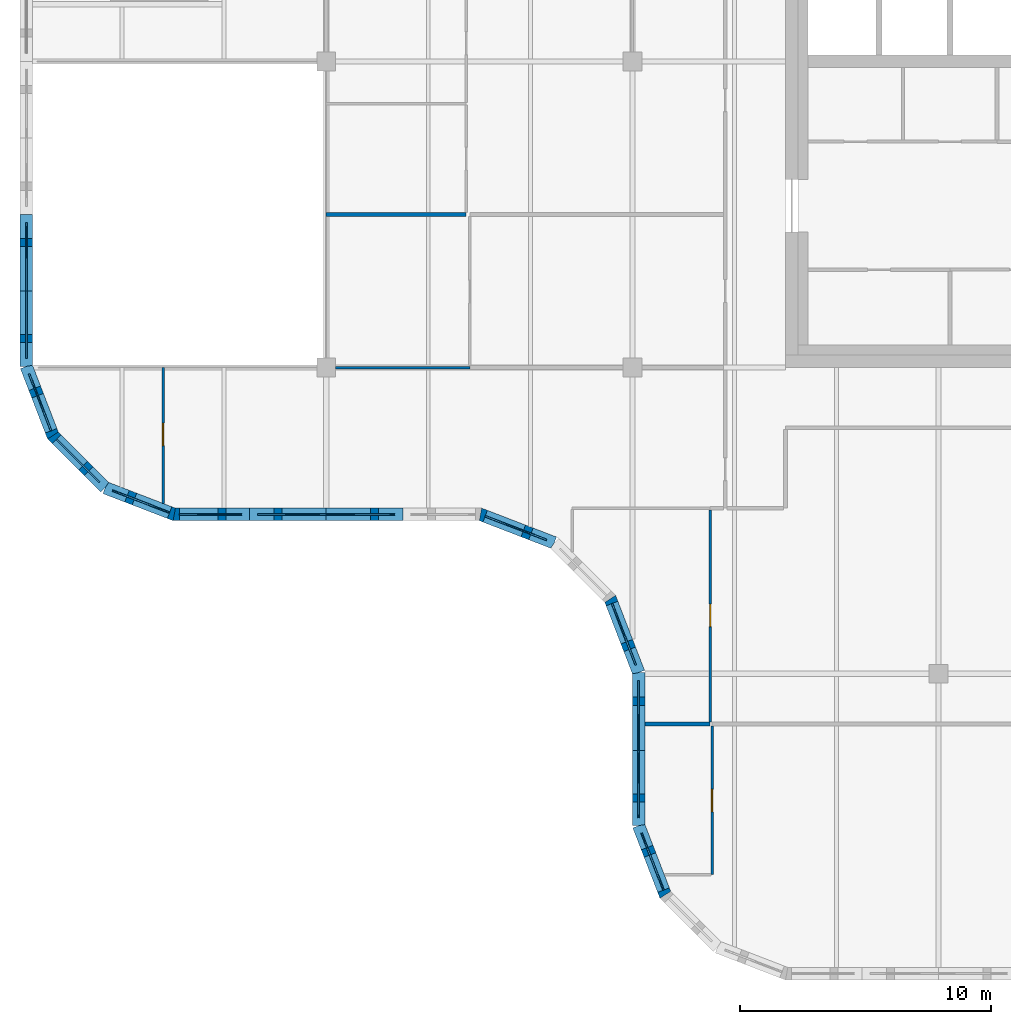
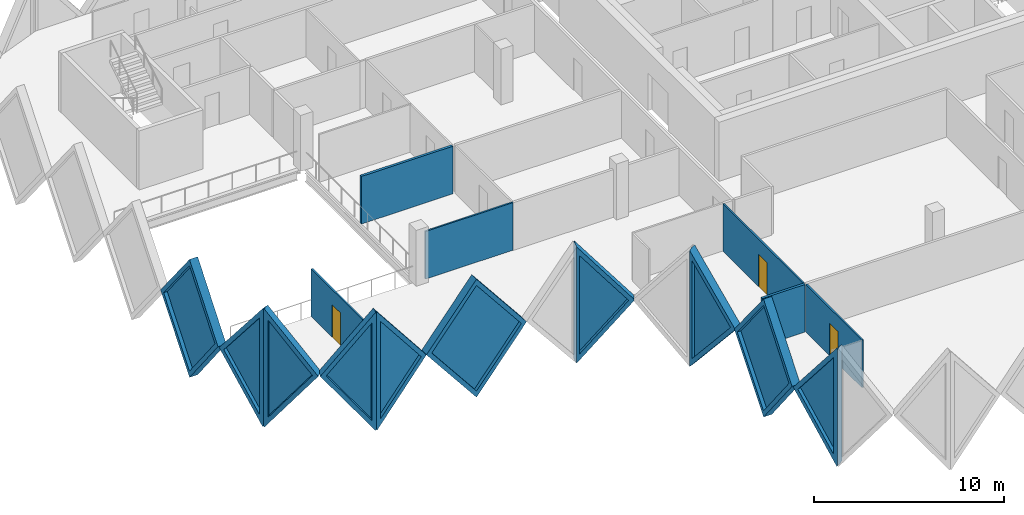
# One storey, part 3 of 12: 16 walls, 10 plates, 3 doors, 13 openings.
"""IFC4 building model written with IfcOpenShell, lengths in metres."""

from ifc_helpers import new_model, si_unit, direction, frame, frame_2d, origin, place, context, subcontext, project, spatial, polyline, rectangle, outline, extrude, faceted_brep, source, transform, mapped, material, layer, layer_set, type_object, element, fill, save


model = new_model("IFC4")

# Units and contexts
model_context = context("Model", 3, precision=1e-05, world=origin(), true_north=direction((0.0, 1.0)))
body_context = subcontext(model_context, "Body", "Model", "MODEL_VIEW")
ifc_project = project(units=[si_unit("LENGTHUNIT", "METRE"), si_unit("AREAUNIT", "SQUARE_METRE"), si_unit("VOLUMEUNIT", "CUBIC_METRE"), si_unit("PLANEANGLEUNIT", "RADIAN"), si_unit("MASSUNIT", "GRAM", prefix="KILO")], contexts=[model_context])

# Site, building, storey
site_placement = place(None, origin())
site = spatial("IfcSite", under=ifc_project, at=site_placement, CompositionType="ELEMENT")
building_placement = place(site_placement, origin())
building = spatial("IfcBuilding", under=site, at=building_placement, Name="Tessera Gate Towers", CompositionType="ELEMENT")
storey_placement = place(building_placement, frame((0.0, 0.0, 220.699951171875)))
storey = spatial("IfcBuildingStorey", under=building, at=storey_placement, Name="L55", CompositionType="ELEMENT", Elevation=220.699951171875)

# Wall, opening, door
ifc_material_1 = material(Name="Glass", Category="glass")
ifc_layer_1 = layer(ifc_material_1, 0.10009765625)
ifc_layer_set_1 = layer_set([ifc_layer_1], Name="GLAZED PARTITION 100")
wall_type_1 = type_object("IfcWallType", Name="GLAZED PARTITION 100", PredefinedType="PARTITIONING", material=ifc_layer_set_1)
wall_1_placement = place(storey_placement, frame((27.574951171875, 4.199951171875, 0.0), z_axis=(0.0, 0.0, 1.0), x_axis=(0.0, 1.0, 0.0)))
wall_1 = element("IfcWall", 1, at=wall_1_placement, inside=storey, type_object=wall_type_1, Name="T1-L55-PW-004", PredefinedType="PARTITIONING", context=body_context, shape_type="SweptSolid", body=[
    extrude(rectangle(XDim=5.924072265625, YDim=0.10009765625, at=frame_2d((2.9619140625, 0.0))), origin(), (0.0, 0.0, 1.0), 3.067138671875),
])
shared_shape_1 = source(origin(), body_context, "Body", "SweptSolid", [
    extrude(rectangle(XDim=0.89990234375, YDim=2.10009765625, at=frame_2d((0.449951171875, 1.050048828125))), frame((0.0, 0.06005859375, 0.0), z_axis=(0.0, -1.0, 0.0), x_axis=(1.0, 0.0, 0.0)), (0.0, 0.0, 1.0), 0.1201171875),
])
opening_1_placement = place(wall_1_placement, frame((2.5, 0.0, 0.0)))
opening_1 = element("IfcOpeningElement", 2, at=opening_1_placement, cuts=wall_1, Name="Opening D690-A20-08", PredefinedType="OPENING", context=body_context, shape_type="MappedRepresentation", body=[
    mapped(shared_shape_1, transform((0.0, 0.0, 0.0), scale=1.0)),
])
ifc_material_2 = material(Name="Glass in aluminium frame", Category="aluminium")
door_type = type_object("IfcDoorType", Name="GLAZED DOOR 900 NOT RATED", OperationType="NOTDEFINED", PredefinedType="DOOR", material=ifc_material_2)
shared_shape_2 = source(origin(), body_context, "Body", "SweptSolid", [
    extrude(rectangle(XDim=0.89990234375, YDim=2.10009765625, at=frame_2d((0.449951171875, 1.050048828125))), frame((0.0, 0.02490234375, 0.0), z_axis=(0.0, -1.0, 0.0), x_axis=(1.0, 0.0, 0.0)), (0.0, 0.0, 1.0), 0.050048828125),
])
door_1_placement = place(opening_1_placement, origin())
door_1 = element("IfcDoor", 3, at=door_1_placement, inside=storey, type_object=door_type, Name="T1-L55-PD-018", OperationType="SINGLE_SWING_LEFT", OverallHeight=2.10009765625, OverallWidth=0.89990234375, PredefinedType="DOOR", context=body_context, shape_type="MappedRepresentation", body=[
    mapped(shared_shape_2, transform((0.0, 0.0, 0.0), scale=1.0)),
])
fill(opening_1, door_1)

wall_2_placement = place(storey_placement, frame((27.5, 10.27587890625, 0.0), z_axis=(0.0, 0.0, 1.0), x_axis=(0.0, 1.0, 0.0)))
wall_2 = element("IfcWall", 4, at=wall_2_placement, inside=storey, type_object=wall_type_1, Name="T1-L55-PW-009", PredefinedType="PARTITIONING", context=body_context, shape_type="SweptSolid", body=[
    extrude(rectangle(XDim=8.4482421875, YDim=0.10009765625, at=frame_2d((4.22412109375, 0.0))), origin(), (0.0, 0.0, 1.0), 3.067138671875),
])
opening_2_placement = place(wall_2_placement, frame((3.800048828125, 0.0, 0.0)))
opening_2 = element("IfcOpeningElement", 5, at=opening_2_placement, cuts=wall_2, Name="Opening D690-A20-09", PredefinedType="OPENING", context=body_context, shape_type="MappedRepresentation", body=[
    mapped(shared_shape_1, transform((0.0, 0.0, 0.0), scale=1.0)),
])
door_2_placement = place(opening_2_placement, origin())
door_2 = element("IfcDoor", 6, at=door_2_placement, inside=storey, type_object=door_type, Name="T1-L55-PD-020", OperationType="SINGLE_SWING_LEFT", OverallHeight=2.10009765625, OverallWidth=0.89990234375, PredefinedType="DOOR", context=body_context, shape_type="MappedRepresentation", body=[
    mapped(shared_shape_2, transform((0.0, 0.0, 0.0), scale=1.0)),
])
fill(opening_2, door_2)

wall_3_placement = place(storey_placement, frame((5.699951171875, 18.990234375, 0.0), z_axis=(0.0, 0.0, 1.0), x_axis=(0.0, 1.0, 0.0)))
wall_3 = element("IfcWall", 7, at=wall_3_placement, inside=storey, type_object=wall_type_1, Name="T1-L55-PW-017", PredefinedType="PARTITIONING", context=body_context, shape_type="SweptSolid", body=[
    extrude(rectangle(XDim=5.40966796875, YDim=0.10009765625, at=frame_2d((2.704833984375, 0.0))), origin(), (0.0, 0.0, 1.0), 3.067138671875),
])
opening_3_placement = place(wall_3_placement, frame((2.300048828125, 0.0, 0.0)))
opening_3 = element("IfcOpeningElement", 8, at=opening_3_placement, cuts=wall_3, Name="Opening D690-A20-03", PredefinedType="OPENING", context=body_context, shape_type="MappedRepresentation", body=[
    mapped(shared_shape_1, transform((0.0, 0.0, 0.0), scale=1.0)),
])
door_3_placement = place(opening_3_placement, origin())
door_3 = element("IfcDoor", 9, at=door_3_placement, inside=storey, type_object=door_type, Name="T1-L55-PD-009", OperationType="SINGLE_SWING_LEFT", OverallHeight=2.10009765625, OverallWidth=0.89990234375, PredefinedType="DOOR", context=body_context, shape_type="MappedRepresentation", body=[
    mapped(shared_shape_2, transform((0.0, 0.0, 0.0), scale=1.0)),
])
fill(opening_3, door_3)

# Walls
wall_4_placement = place(storey_placement, frame((12.575927734375, 24.39990234375, 0.0), z_axis=(0.0, 0.0, 1.0), x_axis=(1.0, 0.0, 0.0)))
element("IfcWall", 10, at=wall_4_placement, inside=storey, type_object=wall_type_1, Name="T1-L55-PW-022", PredefinedType="PARTITIONING", context=body_context, shape_type="SweptSolid", body=[
    extrude(rectangle(XDim=5.34814453125, YDim=0.10009765625, at=frame_2d((2.674072265625, 0.0))), origin(), (0.0, 0.0, 1.0), 3.067138671875),
])
ifc_material_3 = material(Name="Gypsum board on steel studs, mineral wool", Category="steel")
ifc_layer_2 = layer(ifc_material_3, 0.14990234375)
ifc_layer_set_2 = layer_set([ifc_layer_2], Name="TENANCY WALL 150")
wall_type_2 = type_object("IfcWallType", Name="TENANCY WALL 150", PredefinedType="PARTITIONING", material=ifc_layer_set_2)
wall_5_placement = place(storey_placement, frame((24.89990234375, 10.199951171875, 0.0), z_axis=(0.0, 0.0, 1.0), x_axis=(1.0, 0.0, 0.0)))
element("IfcWall", 11, at=wall_5_placement, inside=storey, type_object=wall_type_2, Name="T1-L55-PW-007", PredefinedType="PARTITIONING", context=body_context, shape_type="SweptSolid", body=[
    extrude(rectangle(XDim=2.60009765625, YDim=0.14990234375, at=frame_2d((1.300048828125, 0.0))), origin(), (0.0, 0.0, 1.0), 3.067138671875),
])
wall_6_placement = place(storey_placement, frame((12.199951171875, 30.5, 0.0), z_axis=(0.0, 0.0, 1.0), x_axis=(1.0, 0.0, 0.0)))
element("IfcWall", 12, at=wall_6_placement, inside=storey, type_object=wall_type_2, Name="T1-L55-PW-026", PredefinedType="PARTITIONING", context=body_context, shape_type="SweptSolid", body=[
    extrude(rectangle(XDim=5.574951171875, YDim=0.14990234375, at=frame_2d((2.78759765625, 0.0))), origin(), (0.0, 0.0, 1.0), 3.067138671875),
])

# Wall, opening, plate
ifc_material_4 = material(Name="Precast concrete C60/75 white", Category="concrete")
ifc_layer_3 = layer(ifc_material_4, 0.5)
ifc_layer_set_3 = layer_set([ifc_layer_3], Name="TS1 tessera")
wall_type_3 = type_object("IfcWallType", Name="TS1 tessera", PredefinedType="SOLIDWALL", material=ifc_layer_set_3)
shared_shape_3 = source(origin(), body_context, "Body", "SweptSolid", [
    extrude(outline(polyline([(3.050048828125, 0.0), (6.10009765625, 3.800048828125), (3.050048828125, 7.60009765625), (0.0, 3.800048828125), (3.050048828125, 0.0)])), frame((0.0, 0.25, 0.0), z_axis=(0.0, -1.0, 0.0), x_axis=(1.0, 0.0, 0.0)), (0.0, 0.0, 1.0), 0.5),
])
wall_7_placement = place(storey_placement, frame((9.14990234375, 18.550048828125, -3.800048828125), z_axis=(0.0, 0.0, 1.0), x_axis=(1.0, 0.0, 0.0)))
wall_7 = element("IfcWall", 13, at=wall_7_placement, inside=storey, type_object=wall_type_3, Name="Precast tessera T1 TS1-0987", PredefinedType="SOLIDWALL", context=body_context, shape_type="MappedRepresentation", body=[
    mapped(shared_shape_3, transform((0.0, 0.0, 0.0), scale=1.0)),
])
shared_shape_4 = source(origin(), body_context, "Body", "SweptSolid", [
    extrude(outline(polyline([(3.050048828125, 0.3994140625), (5.779541015625, 3.800048828125), (3.050048828125, 7.20068359375), (0.320556640625, 3.800048828125), (3.050048828125, 0.3994140625)])), frame((0.0, 0.260009765625, 0.0), z_axis=(0.0, -1.0, 0.0), x_axis=(1.0, 0.0, 0.0)), (0.0, 0.0, 1.0), 0.52001953125),
])
opening_4_placement = place(wall_7_placement, origin())
opening_4 = element("IfcOpeningElement", 14, at=opening_4_placement, cuts=wall_7, Name="Opening T1-PL2-2013", PredefinedType="OPENING", context=body_context, shape_type="MappedRepresentation", body=[
    mapped(shared_shape_4, transform((0.0, 0.0, 0.0), scale=1.0)),
])
ifc_material_5 = material(Name="Low-e laminated glass", Category="glass")
ifc_layer_4 = layer(ifc_material_5, 0.06005859375)
ifc_layer_set_4 = layer_set([ifc_layer_4], Name="PL2 rhombic pane")
plate_type = type_object("IfcPlateType", Name="PL2 rhombic pane", PredefinedType="SHEET", material=ifc_layer_set_4)
shared_shape_5 = source(origin(), body_context, "Body", "SweptSolid", [
    extrude(outline(polyline([(3.050048828125, 0.3994140625), (5.779541015625, 3.800048828125), (3.050048828125, 7.20068359375), (0.320556640625, 3.800048828125), (3.050048828125, 0.3994140625)])), frame((0.0, 0.030029296875, 0.0), z_axis=(0.0, -1.0, 0.0), x_axis=(1.0, 0.0, 0.0)), (0.0, 0.0, 1.0), 0.06005859375),
])
plate_1_placement = place(opening_4_placement, origin())
plate_1 = element("IfcPlate", 15, at=plate_1_placement, inside=storey, type_object=plate_type, Name="Glass pane T1 PL2-2013", PredefinedType="SHEET", context=body_context, shape_type="MappedRepresentation", body=[
    mapped(shared_shape_5, transform((0.0, 0.0, 0.0), scale=1.0)),
])
fill(opening_4, plate_1)

shared_shape_6 = source(origin(), body_context, "Body", "Brep", [
    faceted_brep([(3.050048828125, -0.25, 0.0), (6.053466796875, -0.25, 3.800048828125), (3.050048828125, -0.25, 7.60009765625), (0.0, -0.25, 3.800048828125), (0.0, 0.25, 3.800048828125), (3.050048828125, 0.25, 7.60009765625), (6.0068359375, 0.25, 3.85888671875), (6.0068359375, 0.25, 3.7412109375), (3.050048828125, 0.25, 0.0), (6.053466796875, 0.0, 3.800048828125)], [[[0, 1, 2, 3]], [[4, 5, 6, 7, 8]], [[8, 7, 9, 1, 0]], [[6, 5, 2, 1, 9]], [[5, 4, 3, 2]], [[4, 8, 0, 3]], [[9, 7, 6]]]),
])
wall_8_placement = place(storey_placement, frame((0.25, 30.5, -3.800048828125), z_axis=(0.0, 0.0, 1.0), x_axis=(0.0, -1.0, 0.0)))
wall_8 = element("IfcWall", 16, at=wall_8_placement, inside=storey, type_object=wall_type_3, Name="Precast tessera T1 TS1-0986", PredefinedType="SOLIDWALL", context=body_context, shape_type="MappedRepresentation", body=[
    mapped(shared_shape_6, transform((0.0, 0.0, 0.0), scale=1.0)),
])
shared_shape_7 = source(origin(), body_context, "Body", "SweptSolid", [
    extrude(outline(polyline([(3.048583984375, 0.4013671875), (5.73486328125, 3.800048828125), (3.048583984375, 7.19873046875), (0.320556640625, 3.800048828125), (3.048583984375, 0.4013671875)])), frame((0.0, 0.260009765625, 0.0), z_axis=(0.0, -1.0, 0.0), x_axis=(1.0, 0.0, 0.0)), (0.0, 0.0, 1.0), 0.52001953125),
])
opening_5_placement = place(wall_8_placement, origin())
opening_5 = element("IfcOpeningElement", 17, at=opening_5_placement, cuts=wall_8, Name="Opening T1-PL2-2008", PredefinedType="OPENING", context=body_context, shape_type="MappedRepresentation", body=[
    mapped(shared_shape_7, transform((0.0, 0.0, 0.0), scale=1.0)),
])
shared_shape_8 = source(origin(), body_context, "Body", "SweptSolid", [
    extrude(outline(polyline([(3.048583984375, 0.4013671875), (5.73486328125, 3.800048828125), (3.048583984375, 7.19873046875), (0.320556640625, 3.800048828125), (3.048583984375, 0.4013671875)])), frame((0.0, 0.030029296875, 0.0), z_axis=(0.0, -1.0, 0.0), x_axis=(1.0, 0.0, 0.0)), (0.0, 0.0, 1.0), 0.06005859375),
])
plate_2_placement = place(opening_5_placement, origin())
plate_2 = element("IfcPlate", 18, at=plate_2_placement, inside=storey, type_object=plate_type, Name="Glass pane T1 PL2-2008", PredefinedType="SHEET", context=body_context, shape_type="MappedRepresentation", body=[
    mapped(shared_shape_8, transform((0.0, 0.0, 0.0), scale=1.0)),
])
fill(opening_5, plate_2)

ifc_material_6 = material(Name="Precast concrete C60/75 white", Category="concrete")
ifc_layer_5 = layer(ifc_material_6, 0.5)
ifc_layer_set_5 = layer_set([ifc_layer_5], Name="TS3 corner tessera")
wall_type_4 = type_object("IfcWallType", Name="TS3 corner tessera", PredefinedType="SOLIDWALL", material=ifc_layer_set_5)
shared_shape_9 = source(origin(), body_context, "Body", "Brep", [
    faceted_brep([(2.950439453125, -0.25, 0.0), (3.00341796875, -0.25, 0.068359375), (3.00341796875, -0.25, 7.53173828125), (2.950439453125, -0.25, 7.60009765625), (0.0, -0.25, 3.800048828125), (0.046630859375, 0.25, 3.860107421875), (2.897705078125, 0.25, 7.531982421875), (2.897705078125, 0.25, 0.068115234375), (0.046630859375, 0.25, 3.739990234375), (2.950439453125, 0.00048828125, 0.0), (2.950439453125, 0.00048828125, 7.60009765625), (0.0, 0.0, 3.800048828125)], [[[0, 1, 2, 3, 4]], [[5, 6, 7, 8]], [[1, 0, 9]], [[10, 3, 2]], [[6, 5, 11, 4, 3, 10]], [[8, 7, 9, 0, 4, 11]], [[8, 11, 5]], [[1, 9, 7, 6, 10, 2]]]),
])
wall_9_placement = place(storey_placement, frame((24.64990234375, 6.146484375, -3.800048828125), z_axis=(0.0, 0.0, 1.0), x_axis=(0.359953949349, -0.932970071518, 0.0)))
wall_9 = element("IfcWall", 19, at=wall_9_placement, inside=storey, type_object=wall_type_4, Name="Precast corner tessera T1 TS3-1295", PredefinedType="SOLIDWALL", context=body_context, shape_type="MappedRepresentation", body=[
    mapped(shared_shape_9, transform((0.0, 0.0, 0.0), scale=1.0)),
])
shared_shape_10 = source(origin(), body_context, "Body", "SweptSolid", [
    extrude(outline(polyline([(2.75048828125, 6.934814453125), (0.31640625, 3.800048828125), (2.75048828125, 0.665283203125), (2.75048828125, 6.934814453125)])), frame((0.0, 0.260009765625, 0.0), z_axis=(0.0, -1.0, 0.0), x_axis=(1.0, 0.0, 0.0)), (0.0, 0.0, 1.0), 0.52001953125),
])
opening_6_placement = place(wall_9_placement, origin())
opening_6 = element("IfcOpeningElement", 20, at=opening_6_placement, cuts=wall_9, Name="Opening T1-PL2-2019", PredefinedType="OPENING", context=body_context, shape_type="MappedRepresentation", body=[
    mapped(shared_shape_10, transform((0.0, 0.0, 0.0), scale=1.0)),
])
shared_shape_11 = source(origin(), body_context, "Body", "SweptSolid", [
    extrude(outline(polyline([(2.75048828125, 6.934814453125), (0.31640625, 3.800048828125), (2.75048828125, 0.665283203125), (2.75048828125, 6.934814453125)])), frame((0.0, 0.030029296875, 0.0), z_axis=(0.0, -1.0, 0.0), x_axis=(1.0, 0.0, 0.0)), (0.0, 0.0, 1.0), 0.06005859375),
])
plate_3_placement = place(opening_6_placement, origin())
plate_3 = element("IfcPlate", 21, at=plate_3_placement, inside=storey, type_object=plate_type, Name="Glass pane T1 PL2-2019", PredefinedType="SHEET", context=body_context, shape_type="MappedRepresentation", body=[
    mapped(shared_shape_11, transform((0.0, 0.0, 0.0), scale=1.0)),
])
fill(opening_6, plate_3)

shared_shape_12 = source(origin(), body_context, "Body", "Brep", [
    faceted_brep([(0.052978515625, -0.25, 0.0), (2.9970703125, -0.25, 3.800048828125), (0.052978515625, -0.25, 7.60009765625), (0.0, -0.25, 7.531982421875), (0.0, -0.25, 0.068115234375), (0.10595703125, 0.25, 7.53173828125), (2.944091796875, 0.25, 3.8681640625), (2.944091796875, 0.25, 3.73193359375), (0.10595703125, 0.25, 0.068359375), (2.9970703125, 0.000244140625, 3.800048828125), (0.052978515625, 0.0, 0.0), (0.052978515625, 0.0, 7.60009765625)], [[[0, 1, 2, 3, 4]], [[5, 6, 7, 8]], [[8, 7, 9, 1, 0, 10]], [[6, 5, 11, 2, 1, 9]], [[3, 2, 11]], [[10, 0, 4]], [[8, 10, 4, 3, 11, 5]], [[9, 7, 6]]]),
])
wall_10_placement = place(storey_placement, frame((1.2744140625, 21.731201171875, -3.800048828125), z_axis=(0.0, 0.0, 1.0), x_axis=(0.707147509625, -0.707066050402, 0.0)))
wall_10 = element("IfcWall", 22, at=wall_10_placement, inside=storey, type_object=wall_type_4, Name="Precast corner tessera T1 TS3-1288", PredefinedType="SOLIDWALL", context=body_context, shape_type="MappedRepresentation", body=[
    mapped(shared_shape_12, transform((0.0, 0.0, 0.0), scale=1.0)),
])
shared_shape_13 = source(origin(), body_context, "Body", "SweptSolid", [
    extrude(outline(polyline([(0.2529296875, 0.66650390625), (2.680908203125, 3.800048828125), (0.2529296875, 6.933837890625), (0.2529296875, 0.66650390625)])), frame((0.0, 0.260009765625, 0.0), z_axis=(0.0, -1.0, 0.0), x_axis=(1.0, 0.0, 0.0)), (0.0, 0.0, 1.0), 0.52001953125),
])
opening_7_placement = place(wall_10_placement, origin())
opening_7 = element("IfcOpeningElement", 23, at=opening_7_placement, cuts=wall_10, Name="Opening T1-PL2-2010", PredefinedType="OPENING", context=body_context, shape_type="MappedRepresentation", body=[
    mapped(shared_shape_13, transform((0.0, 0.0, 0.0), scale=1.0)),
])
shared_shape_14 = source(origin(), body_context, "Body", "SweptSolid", [
    extrude(outline(polyline([(0.2529296875, 0.66650390625), (2.680908203125, 3.800048828125), (0.2529296875, 6.933837890625), (0.2529296875, 0.66650390625)])), frame((0.0, 0.030029296875, 0.0), z_axis=(0.0, -1.0, 0.0), x_axis=(1.0, 0.0, 0.0)), (0.0, 0.0, 1.0), 0.06005859375),
])
plate_4_placement = place(opening_7_placement, origin())
plate_4 = element("IfcPlate", 24, at=plate_4_placement, inside=storey, type_object=plate_type, Name="Glass pane T1 PL2-2010", PredefinedType="SHEET", context=body_context, shape_type="MappedRepresentation", body=[
    mapped(shared_shape_14, transform((0.0, 0.0, 0.0), scale=1.0)),
])
fill(opening_7, plate_4)

shared_shape_15 = source(origin(), body_context, "Body", "Brep", [
    faceted_brep([(2.950439453125, -0.25, 0.0), (2.9970703125, -0.25, 0.05908203125), (2.9970703125, -0.25, 7.541015625), (2.950439453125, -0.25, 7.60009765625), (0.0, -0.25, 3.800048828125), (0.052978515625, 0.25, 3.8681640625), (2.904052734375, 0.25, 7.540283203125), (2.904052734375, 0.25, 0.059814453125), (0.052978515625, 0.25, 3.73193359375), (2.950439453125, 0.00048828125, 0.0), (2.950439453125, 0.00048828125, 7.60009765625), (0.0, 0.0, 3.800048828125)], [[[0, 1, 2, 3, 4]], [[5, 6, 7, 8]], [[1, 0, 9]], [[10, 3, 2]], [[6, 5, 11, 4, 3, 10]], [[8, 7, 9, 0, 4, 11]], [[8, 11, 5]], [[1, 9, 7, 6, 10, 2]]]),
])
wall_11_placement = place(storey_placement, frame((3.393798828125, 19.61181640625, -3.800048828125), z_axis=(0.0, 0.0, 1.0), x_axis=(0.932990326376, -0.359901446078, 0.0)))
wall_11 = element("IfcWall", 25, at=wall_11_placement, inside=storey, type_object=wall_type_4, Name="Precast corner tessera T1 TS3-1289", PredefinedType="SOLIDWALL", context=body_context, shape_type="MappedRepresentation", body=[
    mapped(shared_shape_15, transform((0.0, 0.0, 0.0), scale=1.0)),
])
opening_8_placement = place(wall_11_placement, origin())
opening_8 = element("IfcOpeningElement", 26, at=opening_8_placement, cuts=wall_11, Name="Opening T1-PL2-2011", PredefinedType="OPENING", context=body_context, shape_type="MappedRepresentation", body=[
    mapped(shared_shape_10, transform((0.0, 0.0, 0.0), scale=1.0)),
])
plate_5_placement = place(opening_8_placement, origin())
plate_5 = element("IfcPlate", 27, at=plate_5_placement, inside=storey, type_object=plate_type, Name="Glass pane T1 PL2-2011", PredefinedType="SHEET", context=body_context, shape_type="MappedRepresentation", body=[
    mapped(shared_shape_11, transform((0.0, 0.0, 0.0), scale=1.0)),
])
fill(opening_8, plate_5)

shared_shape_16 = source(origin(), body_context, "Body", "Brep", [
    faceted_brep([(0.046630859375, -0.25, 0.0), (3.050048828125, -0.25, 3.800048828125), (0.046630859375, -0.25, 7.60009765625), (0.0, -0.25, 7.5400390625), (0.0, -0.25, 0.06005859375), (0.09326171875, 0.25, 7.541259765625), (3.050048828125, 0.25, 3.800048828125), (0.09326171875, 0.25, 0.058837890625), (0.046630859375, 0.0, 0.0), (0.046630859375, 0.0, 7.60009765625)], [[[0, 1, 2, 3, 4]], [[5, 6, 7]], [[7, 6, 1, 0, 8]], [[6, 5, 9, 2, 1]], [[3, 2, 9]], [[8, 0, 4]], [[7, 8, 4, 3, 9, 5]]]),
])
wall_12_placement = place(storey_placement, frame((6.099853515625, 18.550048828125, -3.800048828125), z_axis=(0.0, 0.0, 1.0), x_axis=(1.0, 0.0, 0.0)))
wall_12 = element("IfcWall", 28, at=wall_12_placement, inside=storey, type_object=wall_type_4, Name="Precast corner tessera T1 TS3-1290", PredefinedType="SOLIDWALL", context=body_context, shape_type="MappedRepresentation", body=[
    mapped(shared_shape_16, transform((0.0, 0.0, 0.0), scale=1.0)),
])
shared_shape_17 = source(origin(), body_context, "Body", "SweptSolid", [
    extrude(outline(polyline([(0.24658203125, 0.65625), (2.7314453125, 3.800048828125), (0.24658203125, 6.94384765625), (0.24658203125, 0.65625)])), frame((0.0, 0.260009765625, 0.0), z_axis=(0.0, -1.0, 0.0), x_axis=(1.0, 0.0, 0.0)), (0.0, 0.0, 1.0), 0.52001953125),
])
opening_9_placement = place(wall_12_placement, origin())
opening_9 = element("IfcOpeningElement", 29, at=opening_9_placement, cuts=wall_12, Name="Opening T1-PL2-2012", PredefinedType="OPENING", context=body_context, shape_type="MappedRepresentation", body=[
    mapped(shared_shape_17, transform((0.0, 0.0, 0.0), scale=1.0)),
])
shared_shape_18 = source(origin(), body_context, "Body", "SweptSolid", [
    extrude(outline(polyline([(0.24658203125, 0.65625), (2.7314453125, 3.800048828125), (0.24658203125, 6.94384765625), (0.24658203125, 0.65625)])), frame((0.0, 0.030029296875, 0.0), z_axis=(0.0, -1.0, 0.0), x_axis=(1.0, 0.0, 0.0)), (0.0, 0.0, 1.0), 0.06005859375),
])
plate_6_placement = place(opening_9_placement, origin())
plate_6 = element("IfcPlate", 30, at=plate_6_placement, inside=storey, type_object=plate_type, Name="Glass pane T1 PL2-2012", PredefinedType="SHEET", context=body_context, shape_type="MappedRepresentation", body=[
    mapped(shared_shape_18, transform((0.0, 0.0, 0.0), scale=1.0)),
])
fill(opening_9, plate_6)

shared_shape_19 = source(origin(), body_context, "Body", "Brep", [
    faceted_brep([(2.950439453125, -0.25, 0.0), (3.00341796875, -0.25, 0.068359375), (3.00341796875, -0.25, 7.53173828125), (2.950439453125, -0.25, 7.60009765625), (0.0, -0.25, 3.800048828125), (0.046630859375, 0.25, 3.860107421875), (2.897705078125, 0.25, 7.531982421875), (2.897705078125, 0.25, 0.068115234375), (0.046630859375, 0.25, 3.739990234375), (2.950439453125, 0.00048828125, 0.0), (2.950439453125, 0.00048828125, 7.60009765625), (0.0, 0.0, 3.800048828125)], [[[0, 1, 2, 3, 4]], [[5, 6, 7, 8]], [[1, 0, 9]], [[10, 3, 2]], [[6, 5, 11, 4, 3, 10]], [[8, 7, 9, 0, 4, 11]], [[8, 11, 5]], [[1, 9, 7, 6, 10, 2]]]),
])
wall_13_placement = place(storey_placement, frame((0.25, 24.446533203125, -3.800048828125), z_axis=(0.0, 0.0, 1.0), x_axis=(0.35992665181, -0.932980602862, 0.0)))
wall_13 = element("IfcWall", 31, at=wall_13_placement, inside=storey, type_object=wall_type_4, Name="Precast corner tessera T1 TS3-1287", PredefinedType="SOLIDWALL", context=body_context, shape_type="MappedRepresentation", body=[
    mapped(shared_shape_19, transform((0.0, 0.0, 0.0), scale=1.0)),
])
opening_10_placement = place(wall_13_placement, origin())
opening_10 = element("IfcOpeningElement", 32, at=opening_10_placement, cuts=wall_13, Name="Opening T1-PL2-2009", PredefinedType="OPENING", context=body_context, shape_type="MappedRepresentation", body=[
    mapped(shared_shape_10, transform((0.0, 0.0, 0.0), scale=1.0)),
])
plate_7_placement = place(opening_10_placement, origin())
plate_7 = element("IfcPlate", 33, at=plate_7_placement, inside=storey, type_object=plate_type, Name="Glass pane T1 PL2-2009", PredefinedType="SHEET", context=body_context, shape_type="MappedRepresentation", body=[
    mapped(shared_shape_11, transform((0.0, 0.0, 0.0), scale=1.0)),
])
fill(opening_10, plate_7)

shared_shape_20 = source(origin(), body_context, "Body", "Brep", [
    faceted_brep([(0.09326171875, -0.25, 0.05615234375), (3.14306640625, -0.25, 3.736328125), (3.14306640625, -0.25, 3.86376953125), (0.09326171875, -0.25, 7.5439453125), (0.0, 0.25, 7.54296875), (0.046630859375, 0.25, 7.60009765625), (3.196044921875, 0.25, 3.800048828125), (0.046630859375, 0.25, 0.0), (0.0, 0.25, 0.05712890625), (3.196044921875, -0.000244140625, 3.800048828125), (0.046630859375, 0.0, 0.0), (0.046630859375, 0.0, 7.60009765625)], [[[0, 1, 2, 3]], [[4, 5, 6, 7, 8]], [[7, 6, 9, 1, 0, 10]], [[6, 5, 11, 3, 2, 9]], [[5, 4, 11]], [[8, 7, 10]], [[8, 10, 0, 3, 11, 4]], [[1, 9, 2]]]),
])
wall_14_placement = place(storey_placement, frame((18.302978515625, 18.56689453125, -3.800048828125), z_axis=(0.0, 0.0, 1.0), x_axis=(0.932978940178, -0.359930961693, 0.0)))
wall_14 = element("IfcWall", 34, at=wall_14_placement, inside=storey, type_object=wall_type_4, Name="Precast corner tessera T1 TS3-1292", PredefinedType="SOLIDWALL", context=body_context, shape_type="MappedRepresentation", body=[
    mapped(shared_shape_20, transform((0.0, 0.0, 0.0), scale=1.0)),
])
shared_shape_21 = source(origin(), body_context, "Body", "SweptSolid", [
    extrude(outline(polyline([(0.24658203125, 0.63330078125), (2.871337890625, 3.800048828125), (0.24658203125, 6.967041015625), (0.24658203125, 0.63330078125)])), frame((0.0, 0.260009765625, 0.0), z_axis=(0.0, -1.0, 0.0), x_axis=(1.0, 0.0, 0.0)), (0.0, 0.0, 1.0), 0.52001953125),
])
opening_11_placement = place(wall_14_placement, origin())
opening_11 = element("IfcOpeningElement", 35, at=opening_11_placement, cuts=wall_14, Name="Opening T1-PL2-2015", PredefinedType="OPENING", context=body_context, shape_type="MappedRepresentation", body=[
    mapped(shared_shape_21, transform((0.0, 0.0, 0.0), scale=1.0)),
])
shared_shape_22 = source(origin(), body_context, "Body", "SweptSolid", [
    extrude(outline(polyline([(0.24658203125, 0.63330078125), (2.871337890625, 3.800048828125), (0.24658203125, 6.967041015625), (0.24658203125, 0.63330078125)])), frame((0.0, 0.030029296875, 0.0), z_axis=(0.0, -1.0, 0.0), x_axis=(1.0, 0.0, 0.0)), (0.0, 0.0, 1.0), 0.06005859375),
])
plate_8_placement = place(opening_11_placement, origin())
plate_8 = element("IfcPlate", 36, at=plate_8_placement, inside=storey, type_object=plate_type, Name="Glass pane T1 PL2-2015", PredefinedType="SHEET", context=body_context, shape_type="MappedRepresentation", body=[
    mapped(shared_shape_22, transform((0.0, 0.0, 0.0), scale=1.0)),
])
fill(opening_11, plate_8)

shared_shape_23 = source(origin(), body_context, "Body", "Brep", [
    faceted_brep([(0.10595703125, -0.25, 0.06396484375), (3.156005859375, -0.25, 3.743896484375), (3.156005859375, -0.25, 3.856201171875), (0.10595703125, -0.25, 7.5361328125), (0.0, 0.25, 7.536376953125), (0.052978515625, 0.25, 7.60009765625), (3.202392578125, 0.25, 3.800048828125), (0.052978515625, 0.25, 0.0), (0.0, 0.25, 0.063720703125), (3.202392578125, -0.000244140625, 3.800048828125), (0.052978515625, 0.0, 0.0), (0.052978515625, 0.0, 7.60009765625)], [[[0, 1, 2, 3]], [[4, 5, 6, 7, 8]], [[7, 6, 9, 1, 0, 10]], [[6, 5, 11, 3, 2, 9]], [[5, 4, 11]], [[8, 7, 10]], [[8, 10, 0, 3, 11, 4]], [[1, 9, 2]]]),
])
wall_15_placement = place(storey_placement, frame((23.497314453125, 15.234375, -3.800048828125), z_axis=(0.0, 0.0, 1.0), x_axis=(0.359913782069, -0.932985567668, 0.0)))
wall_15 = element("IfcWall", 37, at=wall_15_placement, inside=storey, type_object=wall_type_4, Name="Precast corner tessera T1 TS3-1294", PredefinedType="SOLIDWALL", context=body_context, shape_type="MappedRepresentation", body=[
    mapped(shared_shape_23, transform((0.0, 0.0, 0.0), scale=1.0)),
])
shared_shape_24 = source(origin(), body_context, "Body", "SweptSolid", [
    extrude(outline(polyline([(0.2529296875, 0.63330078125), (2.877685546875, 3.800048828125), (0.2529296875, 6.967041015625), (0.2529296875, 0.63330078125)])), frame((0.0, 0.260009765625, 0.0), z_axis=(0.0, -1.0, 0.0), x_axis=(1.0, 0.0, 0.0)), (0.0, 0.0, 1.0), 0.52001953125),
])
opening_12_placement = place(wall_15_placement, origin())
opening_12 = element("IfcOpeningElement", 38, at=opening_12_placement, cuts=wall_15, Name="Opening T1-PL2-2017", PredefinedType="OPENING", context=body_context, shape_type="MappedRepresentation", body=[
    mapped(shared_shape_24, transform((0.0, 0.0, 0.0), scale=1.0)),
])
shared_shape_25 = source(origin(), body_context, "Body", "SweptSolid", [
    extrude(outline(polyline([(0.2529296875, 0.63330078125), (2.877685546875, 3.800048828125), (0.2529296875, 6.967041015625), (0.2529296875, 0.63330078125)])), frame((0.0, 0.030029296875, 0.0), z_axis=(0.0, -1.0, 0.0), x_axis=(1.0, 0.0, 0.0)), (0.0, 0.0, 1.0), 0.06005859375),
])
plate_9_placement = place(opening_12_placement, origin())
plate_9 = element("IfcPlate", 39, at=plate_9_placement, inside=storey, type_object=plate_type, Name="Glass pane T1 PL2-2017", PredefinedType="SHEET", context=body_context, shape_type="MappedRepresentation", body=[
    mapped(shared_shape_25, transform((0.0, 0.0, 0.0), scale=1.0)),
])
fill(opening_12, plate_9)

shared_shape_26 = source(origin(), body_context, "Body", "Brep", [
    faceted_brep([(3.096435546875, -0.25, 0.0), (6.10009765625, -0.25, 3.800048828125), (3.096435546875, -0.25, 7.60009765625), (0.046630859375, -0.25, 3.857177734375), (0.046630859375, -0.25, 3.742919921875), (0.0, 0.25, 3.800048828125), (3.096435546875, 0.25, 7.60009765625), (6.053466796875, 0.25, 3.859130859375), (6.053466796875, 0.25, 3.740966796875), (3.096435546875, 0.25, 0.0), (6.10009765625, -0.00048828125, 3.800048828125), (0.0, 0.0, 3.800048828125)], [[[0, 1, 2, 3, 4]], [[5, 6, 7, 8, 9]], [[9, 8, 10, 1, 0]], [[7, 6, 2, 1, 10]], [[6, 5, 11, 3, 2]], [[5, 9, 0, 4, 11]], [[11, 4, 3]], [[10, 8, 7]]]),
])
wall_16_placement = place(storey_placement, frame((24.64990234375, 12.24658203125, -3.800048828125), z_axis=(0.0, 0.0, 1.0), x_axis=(0.0, -1.0, 0.0)))
wall_16 = element("IfcWall", 40, at=wall_16_placement, inside=storey, type_object=wall_type_3, Name="Precast tessera T1 TS1-0988", PredefinedType="SOLIDWALL", context=body_context, shape_type="MappedRepresentation", body=[
    mapped(shared_shape_26, transform((0.0, 0.0, 0.0), scale=1.0)),
])
shared_shape_27 = source(origin(), body_context, "Body", "SweptSolid", [
    extrude(outline(polyline([(3.093505859375, 0.3994140625), (5.78125, 3.800048828125), (3.093505859375, 7.20068359375), (0.322509765625, 3.800048828125), (3.093505859375, 0.3994140625)])), frame((0.0, 0.260009765625, 0.0), z_axis=(0.0, -1.0, 0.0), x_axis=(1.0, 0.0, 0.0)), (0.0, 0.0, 1.0), 0.52001953125),
])
opening_13_placement = place(wall_16_placement, origin())
opening_13 = element("IfcOpeningElement", 41, at=opening_13_placement, cuts=wall_16, Name="Opening T1-PL2-2018", PredefinedType="OPENING", context=body_context, shape_type="MappedRepresentation", body=[
    mapped(shared_shape_27, transform((0.0, 0.0, 0.0), scale=1.0)),
])
shared_shape_28 = source(origin(), body_context, "Body", "SweptSolid", [
    extrude(outline(polyline([(3.093505859375, 0.3994140625), (5.78125, 3.800048828125), (3.093505859375, 7.20068359375), (0.322509765625, 3.800048828125), (3.093505859375, 0.3994140625)])), frame((0.0, 0.030029296875, 0.0), z_axis=(0.0, -1.0, 0.0), x_axis=(1.0, 0.0, 0.0)), (0.0, 0.0, 1.0), 0.06005859375),
])
plate_10_placement = place(opening_13_placement, origin())
plate_10 = element("IfcPlate", 42, at=plate_10_placement, inside=storey, type_object=plate_type, Name="Glass pane T1 PL2-2018", PredefinedType="SHEET", context=body_context, shape_type="MappedRepresentation", body=[
    mapped(shared_shape_28, transform((0.0, 0.0, 0.0), scale=1.0)),
])
fill(opening_13, plate_10)

save(model, "model.ifc")
